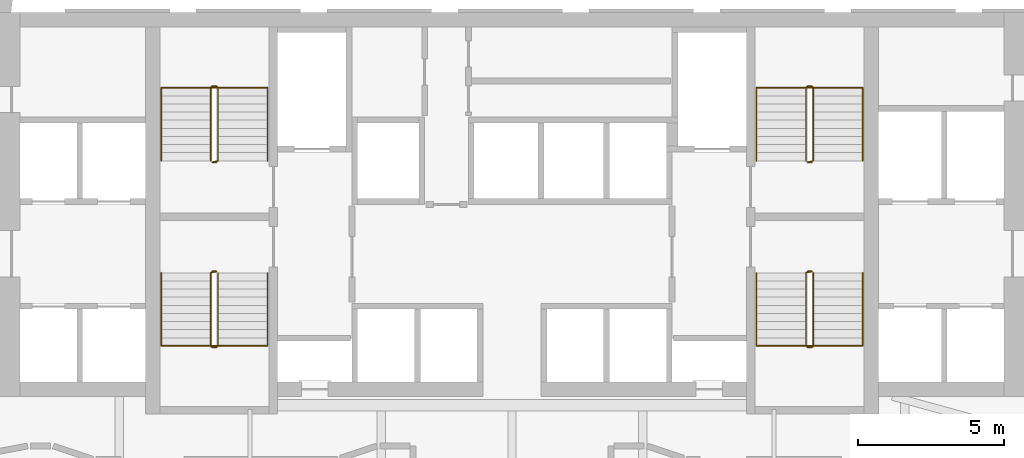
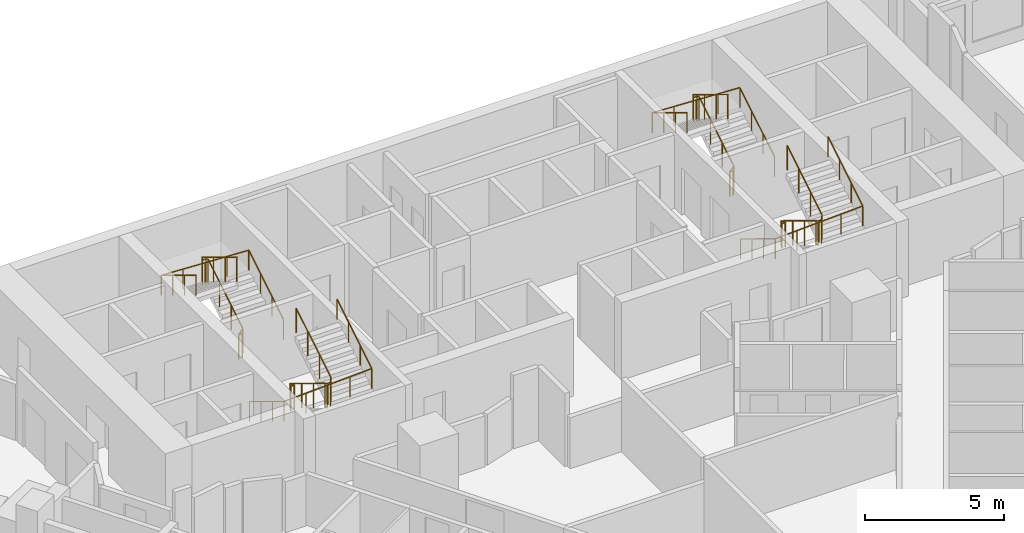
# One storey, part 12 of 12: 8 railings.
"""IFC4 building model written with IfcOpenShell, lengths in metres."""

import ifcopenshell
import ifcopenshell.guid

model = None  # the IFC model being written
_history = None  # IfcOwnerHistory: only IFC2X3 demands one
_inside = {}  # id of a spatial element -> (the spatial element, [elements in it])
_under = {}  # id of a project, library or spatial element -> (it, [spatial elements below it])
_declared = {}  # id of a project -> (the project, [libraries it declares])
_typed = {}  # id of a type object -> (the type object, [elements of that type])
_made_of = {}  # id of a material, layer set ... -> (it, [elements and type objects made of it])


def new_model(schema):
    """Start an empty IFC model of exactly this schema.

    Asked for "IFC4X3", IfcOpenShell would pick the latest addendum, in which some entities
    have other attributes; the version numbers below select the first issue.
    IFC2X3 requires an IfcOwnerHistory on every rooted entity: one is made here for all.
    """
    global model, _history
    if schema == "IFC4X3":
        model = ifcopenshell.file(schema_version=(4, 3, 0, 0))
    else:
        model = ifcopenshell.file(schema=schema)
    _inside.clear()
    _under.clear()
    _declared.clear()
    _typed.clear()
    _made_of.clear()
    _history = None
    if model.schema == "IFC2X3":
        org = make("IfcOrganization", Name="unknown")
        user = make(
            "IfcPersonAndOrganization",
            ThePerson=make("IfcPerson", FamilyName="unknown"),
            TheOrganization=org,
        )
        app = make(
            "IfcApplication",
            ApplicationDeveloper=org,
            Version="unknown",
            ApplicationFullName="unknown",
            ApplicationIdentifier="unknown",
        )
        _history = make(
            "IfcOwnerHistory",
            OwningUser=user,
            OwningApplication=app,
            ChangeAction="ADDED",
            CreationDate=0,
        )
    return model


def make(cls, **values):
    """One entity of the class cls with the attributes given. An attribute that is None is left unset."""
    return model.create_entity(
        cls, **{name: value for name, value in values.items() if value is not None}
    )


def rooted(cls, **values):
    """An entity with a GlobalId (a new one), such as an element, a storey or a relation."""
    return make(cls, GlobalId=ifcopenshell.guid.new(), OwnerHistory=_history, **values)


def si_unit(unit_type, name, prefix=None):
    """IfcSIUnit, for example si_unit("LENGTHUNIT", "METRE", prefix="MILLI")."""
    return make("IfcSIUnit", UnitType=unit_type, Prefix=prefix, Name=name)


def assignment(units):
    """IfcUnitAssignment: the units of a project."""
    return None if units is None else make("IfcUnitAssignment", Units=units)


def point(xyz):
    """IfcCartesianPoint."""
    return None if xyz is None else make("IfcCartesianPoint", Coordinates=xyz)


def direction(xyz):
    """IfcDirection."""
    return None if xyz is None else make("IfcDirection", DirectionRatios=xyz)


def frame(location, z_axis=None, x_axis=None):
    """IfcAxis2Placement3D, a coordinate frame: its origin and axes. An axis left out is left unset."""
    return make(
        "IfcAxis2Placement3D",
        Location=point(location),
        Axis=direction(z_axis),
        RefDirection=direction(x_axis),
    )


def frame_2d(location, x_axis=None):
    """IfcAxis2Placement2D, a coordinate frame in the plane: its origin and x axis."""
    return make(
        "IfcAxis2Placement2D", Location=point(location), RefDirection=direction(x_axis)
    )


def origin():
    """The frame at (0, 0, 0) with its axes left unset."""
    return frame((0.0, 0.0, 0.0))


def origin_2d():
    """The frame at (0, 0) in the plane with its x axis left unset."""
    return frame_2d((0.0, 0.0))


def place(relative_to, where):
    """IfcLocalPlacement: puts the frame where relative to a parent placement (None: the world)."""
    return make(
        "IfcLocalPlacement", PlacementRelTo=relative_to, RelativePlacement=where
    )


def context(
    kind, dimensions, precision=None, world=None, true_north=None, identifier=None
):
    """IfcGeometricRepresentationContext, for example the 3D "Model" context."""
    return make(
        "IfcGeometricRepresentationContext",
        ContextIdentifier=identifier,
        ContextType=kind,
        CoordinateSpaceDimension=dimensions,
        Precision=precision,
        WorldCoordinateSystem=world,
        TrueNorth=true_north,
    )


def subcontext(parent, identifier, kind, view, scale=None):
    """IfcGeometricRepresentationSubContext, for example "Body" below "Model"."""
    return make(
        "IfcGeometricRepresentationSubContext",
        ContextIdentifier=identifier,
        ContextType=kind,
        ParentContext=parent,
        TargetScale=scale,
        TargetView=view,
    )


def project(units=None, contexts=None):
    """IfcProject with its units and contexts."""
    return rooted(
        "IfcProject",
        Name="project",
        RepresentationContexts=contexts,
        UnitsInContext=assignment(units),
    )


def spatial(cls, under=None, at=None, **own):
    """A site, building, storey or space (cls), placed at a placement, below another one or the project."""
    s = rooted(cls, ObjectPlacement=at, **own)
    if under is not None:
        _under.setdefault(under.id(), (under, []))[1].append(s)
    return s


def profile(cls, at=None, kind="AREA", **sizes):
    """A parametric profile (cls). Its sizes go by their IFC names, for example OverallWidth=200.0."""
    return make(cls, ProfileType=kind, Position=at, **sizes)


def circle(**sizes):
    """IfcCircleProfileDef."""
    return profile("IfcCircleProfileDef", **sizes)


def extrude(swept, where, along, depth):
    """IfcExtrudedAreaSolid: the profile swept, set in the frame where, extruded along a direction by depth."""
    return make(
        "IfcExtrudedAreaSolid",
        SweptArea=swept,
        Position=where,
        ExtrudedDirection=direction(along),
        Depth=depth,
    )


def shape(context_of_items, identifier, shape_type, items):
    """IfcShapeRepresentation: the items that make up one representation, for example the "Body"."""
    return make(
        "IfcShapeRepresentation",
        ContextOfItems=context_of_items,
        RepresentationIdentifier=identifier,
        RepresentationType=shape_type,
        Items=items,
    )


def material(Name=None, Category=None):
    """IfcMaterial."""
    return make("IfcMaterial", Name=Name, Category=Category)


def made_of(thing, what):
    """Note that an element or type object is made of a material, layer set ...; save() writes the relation."""
    if what is not None:
        _made_of.setdefault(what.id(), (what, []))[1].append(thing)
    return thing


def type_object(cls, material=None, **own):
    """A type object (cls), such as IfcWallType, which elements share."""
    return made_of(rooted(cls, **own), material)


def element(
    cls,
    number,
    at=None,
    inside=None,
    cuts=None,
    type_object=None,
    material=None,
    context=None,
    identifier="Body",
    shape_type=None,
    held_by="IfcProductDefinitionShape",
    body=None,
    shapes=None,
    **own,
):
    """One element of the class cls, such as IfcWall. Its Tag is "e" and its number.

    at: its placement. inside: the storey or other place that contains it. cuts: it is an
    opening in that element (IfcRelVoidsElement). A single representation is given by context,
    identifier, shape_type and body (its items); several are given by shapes. held_by: the class
    of the entity that holds the representations. save() writes the other relations.
    """
    e = rooted(cls, Tag="e%d" % number, ObjectPlacement=at, **own)
    if body is not None:
        shapes = [shape(context, identifier, shape_type, body)]
    if shapes is not None:
        e.Representation = make(held_by, Representations=shapes)
    if inside is not None:
        _inside.setdefault(inside.id(), (inside, []))[1].append(e)
    if cuts is not None:
        rooted(
            "IfcRelVoidsElement", RelatingBuildingElement=cuts, RelatedOpeningElement=e
        )
    if type_object is not None:
        _typed.setdefault(type_object.id(), (type_object, []))[1].append(e)
    return made_of(e, material)


def aggregate(whole, parts):
    """IfcRelAggregates: a whole, such as a stair, and the parts it consists of."""
    return rooted("IfcRelAggregates", RelatingObject=whole, RelatedObjects=parts)


def save(model, path):
    """Write the relations noted so far, then the file.

    IfcRelAggregates (storeys below a building ...), IfcRelContainedInSpatialStructure (elements
    in a storey), IfcRelDefinesByType, IfcRelAssociatesMaterial and IfcRelDeclares: one each for
    every whole, place, type object, material and project.
    """
    for whole, parts in _under.values():
        aggregate(whole, parts)
    for where, things in _inside.values():
        rooted(
            "IfcRelContainedInSpatialStructure",
            RelatedElements=things,
            RelatingStructure=where,
        )
    for kind, things in _typed.values():
        rooted("IfcRelDefinesByType", RelatedObjects=things, RelatingType=kind)
    for what, things in _made_of.values():
        rooted("IfcRelAssociatesMaterial", RelatedObjects=things, RelatingMaterial=what)
    for by, libraries in _declared.values():
        rooted("IfcRelDeclares", RelatingContext=by, RelatedDefinitions=libraries)
    model.write(path)


model = new_model("IFC4")

# Units and contexts
model_context = context("Model", 3, precision=1e-05, world=origin(), true_north=direction((0.0, 1.0)))
body_context = subcontext(model_context, "Body", "Model", "MODEL_VIEW")
ifc_project = project(units=[si_unit("LENGTHUNIT", "METRE"), si_unit("AREAUNIT", "SQUARE_METRE"), si_unit("VOLUMEUNIT", "CUBIC_METRE"), si_unit("PLANEANGLEUNIT", "RADIAN"), si_unit("MASSUNIT", "GRAM", prefix="KILO")], contexts=[model_context])

# Site, building, storey
site_placement = place(None, origin())
site = spatial("IfcSite", under=ifc_project, at=site_placement, CompositionType="ELEMENT")
building_placement = place(site_placement, origin())
building = spatial("IfcBuilding", under=site, at=building_placement, Name="Calabash Gate Tower", CompositionType="ELEMENT")
storey_placement = place(building_placement, frame((0.0, 0.0, 83.39990234375)))
storey = spatial("IfcBuildingStorey", under=building, at=storey_placement, Name="L17", CompositionType="ELEMENT", Elevation=83.39990234375)

# Railings
ifc_material_1 = material(Name="Black powder-coated steel balusters", Category="steel")
railing_type_1 = type_object("IfcRailingType", Name="Stair guard RL1100", PredefinedType="GUARDRAIL", material=ifc_material_1)
railing_1_placement = place(storey_placement, frame((-10.14990234375, 13.902587890625, 0.0)))
element("IfcRailing", 1, at=railing_1_placement, inside=storey, type_object=railing_type_1, Name="L17 ST1 stair guard 1", PredefinedType="GUARDRAIL", context=body_context, shape_type="SweptSolid", body=[
    extrude(circle(Radius=0.02392578125, at=origin_2d()), frame((0.0, 0.0, 1.076171875), z_axis=(-1.0, 0.0, 0.0), x_axis=(0.0, -1.0, 0.0)), (0.0, 0.0, 1.0), 0.150146484375),
    extrude(circle(Radius=0.02392578125, at=origin_2d()), frame((-0.150146484375, 0.0, 1.076171875), z_axis=(0.748079357382, 0.187248190798, 0.636643848712), x_axis=(-0.242814311512, 0.970072785993, 0.0)), (0.0, 0.0, 1.0), 0.267333984375),
    extrude(circle(Radius=0.02392578125, at=origin_2d()), frame((0.0498046875, 0.050048828125, 1.24609375), z_axis=(0.0, 0.853956361026, 0.520344629514), x_axis=(-1.0, 0.0, 0.0)), (0.0, 0.0, 1.0), 2.9404296875),
    extrude(circle(Radius=0.02392578125, at=origin_2d()), frame((0.0498046875, 2.56103515625, 2.7763671875), z_axis=(-0.705375805398, 0.708833529934, 0.0), x_axis=(-0.708833529934, -0.705375805398, 0.0)), (0.0, 0.0, 1.0), 0.070556640625),
    extrude(circle(Radius=0.02392578125, at=origin_2d()), frame((0.0, 2.611083984375, 2.7763671875), z_axis=(-1.0, 0.0, 0.0), x_axis=(0.0, -1.0, 0.0)), (0.0, 0.0, 1.0), 0.150146484375),
    extrude(circle(Radius=0.02392578125, at=origin_2d()), frame((-0.150146484375, 2.611083984375, 2.7763671875), z_axis=(-0.271895245746, -0.271895245746, 0.923117517265), x_axis=(0.707106781187, -0.707106781187, 0.0)), (0.0, 0.0, 1.0), 0.18408203125),
    extrude(circle(Radius=0.02392578125, at=origin_2d()), frame((-0.2001953125, 2.56103515625, 2.9462890625), z_axis=(0.0, -0.853956361026, 0.520344629514), x_axis=(1.0, 0.0, 0.0)), (0.0, 0.0, 1.0), 2.9404296875),
    extrude(circle(Radius=0.02099609375, at=origin_2d()), origin(), (0.0, 0.0, 1.0), 1.052001953125),
    extrude(circle(Radius=0.02099609375, at=origin_2d()), frame((-0.150146484375, 0.0, 0.0)), (0.0, 0.0, 1.0), 1.052001953125),
    extrude(circle(Radius=0.02099609375, at=origin_2d()), frame((0.0498046875, 0.050048828125, 0.170166015625)), (0.0, 0.0, 1.0), 1.052001953125),
    extrude(circle(Radius=0.02099609375, at=origin_2d()), frame((0.0498046875, 0.886962890625, 0.68017578125)), (0.0, 0.0, 1.0), 1.052001953125),
    extrude(circle(Radius=0.02099609375, at=origin_2d()), frame((0.0498046875, 1.72412109375, 1.190185546875)), (0.0, 0.0, 1.0), 1.052001953125),
    extrude(circle(Radius=0.02099609375, at=origin_2d()), frame((0.0498046875, 2.56103515625, 1.7001953125)), (0.0, 0.0, 1.0), 1.052001953125),
    extrude(circle(Radius=0.02099609375, at=origin_2d()), frame((0.0, 2.611083984375, 1.7001953125)), (0.0, 0.0, 1.0), 1.052001953125),
    extrude(circle(Radius=0.02099609375, at=origin_2d()), frame((-0.150146484375, 2.611083984375, 1.7001953125)), (0.0, 0.0, 1.0), 1.052001953125),
    extrude(circle(Radius=0.02099609375, at=origin_2d()), frame((-0.2001953125, 2.56103515625, 1.8701171875)), (0.0, 0.0, 1.0), 1.052001953125),
    extrude(circle(Radius=0.02099609375, at=origin_2d()), frame((-0.2001953125, 1.72412109375, 2.380126953125)), (0.0, 0.0, 1.0), 1.052001953125),
    extrude(circle(Radius=0.02099609375, at=origin_2d()), frame((-0.2001953125, 0.886962890625, 2.89013671875)), (0.0, 0.0, 1.0), 1.052001953125),
    extrude(circle(Radius=0.02099609375, at=origin_2d()), frame((-0.2001953125, 0.050048828125, 3.400146484375)), (0.0, 0.0, 1.0), 1.052001953125),
])
railing_2_placement = place(storey_placement, frame((-10.300048828125, 10.152587890625, 0.0)))
element("IfcRailing", 2, at=railing_2_placement, inside=storey, type_object=railing_type_1, Name="L17 ST2 stair guard 1", PredefinedType="GUARDRAIL", context=body_context, shape_type="SweptSolid", body=[
    extrude(circle(Radius=0.02392578125, at=origin_2d()), frame((0.0, 0.0, 1.076171875), z_axis=(1.0, 0.0, 0.0), x_axis=(0.0, 1.0, 0.0)), (0.0, 0.0, 1.0), 0.150146484375),
    extrude(circle(Radius=0.02392578125, at=origin_2d()), frame((0.150146484375, 0.0, 1.076171875), z_axis=(-0.748481188565, -0.187120297141, 0.63620901028), x_axis=(0.242535625036, -0.970142500145, 0.0)), (0.0, 0.0, 1.0), 0.267578125),
    extrude(circle(Radius=0.02392578125, at=origin_2d()), frame((-0.050048828125, -0.050048828125, 1.24609375), z_axis=(0.0, -0.853956361026, 0.520344629514), x_axis=(1.0, 0.0, 0.0)), (0.0, 0.0, 1.0), 2.9404296875),
    extrude(circle(Radius=0.02392578125, at=origin_2d()), frame((-0.050048828125, -2.56103515625, 2.7763671875), z_axis=(0.707106781187, -0.707106781187, 0.0), x_axis=(0.707106781187, 0.707106781187, 0.0)), (0.0, 0.0, 1.0), 0.07080078125),
    extrude(circle(Radius=0.02392578125, at=origin_2d()), frame((0.0, -2.611083984375, 2.7763671875), z_axis=(1.0, 0.0, 0.0), x_axis=(0.0, 1.0, 0.0)), (0.0, 0.0, 1.0), 0.150146484375),
    extrude(circle(Radius=0.02392578125, at=origin_2d()), frame((0.150146484375, -2.611083984375, 2.7763671875), z_axis=(0.270666314514, 0.271993110173, 0.92344977893), x_axis=(-0.708833529934, 0.705375805398, 0.0)), (0.0, 0.0, 1.0), 0.18408203125),
    extrude(circle(Radius=0.02392578125, at=origin_2d()), frame((0.199951171875, -2.56103515625, 2.9462890625), z_axis=(0.0, 0.853956361026, 0.520344629514), x_axis=(-1.0, 0.0, 0.0)), (0.0, 0.0, 1.0), 2.9404296875),
    extrude(circle(Radius=0.02099609375, at=origin_2d()), origin(), (0.0, 0.0, 1.0), 1.052001953125),
    extrude(circle(Radius=0.02099609375, at=origin_2d()), frame((0.150146484375, 0.0, 0.0)), (0.0, 0.0, 1.0), 1.052001953125),
    extrude(circle(Radius=0.02099609375, at=origin_2d()), frame((-0.050048828125, -0.050048828125, 0.170166015625)), (0.0, 0.0, 1.0), 1.052001953125),
    extrude(circle(Radius=0.02099609375, at=origin_2d()), frame((-0.050048828125, -0.886962890625, 0.68017578125)), (0.0, 0.0, 1.0), 1.052001953125),
    extrude(circle(Radius=0.02099609375, at=origin_2d()), frame((-0.050048828125, -1.72412109375, 1.190185546875)), (0.0, 0.0, 1.0), 1.052001953125),
    extrude(circle(Radius=0.02099609375, at=origin_2d()), frame((-0.050048828125, -2.56103515625, 1.7001953125)), (0.0, 0.0, 1.0), 1.052001953125),
    extrude(circle(Radius=0.02099609375, at=origin_2d()), frame((0.0, -2.611083984375, 1.7001953125)), (0.0, 0.0, 1.0), 1.052001953125),
    extrude(circle(Radius=0.02099609375, at=origin_2d()), frame((0.150146484375, -2.611083984375, 1.7001953125)), (0.0, 0.0, 1.0), 1.052001953125),
    extrude(circle(Radius=0.02099609375, at=origin_2d()), frame((0.199951171875, -2.56103515625, 1.8701171875)), (0.0, 0.0, 1.0), 1.052001953125),
    extrude(circle(Radius=0.02099609375, at=origin_2d()), frame((0.199951171875, -1.72412109375, 2.380126953125)), (0.0, 0.0, 1.0), 1.052001953125),
    extrude(circle(Radius=0.02099609375, at=origin_2d()), frame((0.199951171875, -0.886962890625, 2.89013671875)), (0.0, 0.0, 1.0), 1.052001953125),
    extrude(circle(Radius=0.02099609375, at=origin_2d()), frame((0.199951171875, -0.050048828125, 3.400146484375)), (0.0, 0.0, 1.0), 1.052001953125),
])
railing_3_placement = place(storey_placement, frame((10.300048828125, 13.902587890625, 0.0)))
element("IfcRailing", 3, at=railing_3_placement, inside=storey, type_object=railing_type_1, Name="L17 ST3 stair guard 1", PredefinedType="GUARDRAIL", context=body_context, shape_type="SweptSolid", body=[
    extrude(circle(Radius=0.02392578125, at=origin_2d()), frame((0.0, 0.0, 1.076171875), z_axis=(-1.0, 0.0, 0.0), x_axis=(0.0, -1.0, 0.0)), (0.0, 0.0, 1.0), 0.150146484375),
    extrude(circle(Radius=0.02392578125, at=origin_2d()), frame((-0.150146484375, 0.0, 1.076171875), z_axis=(0.748481188565, 0.187120297141, 0.63620901028), x_axis=(-0.242535625036, 0.970142500145, 0.0)), (0.0, 0.0, 1.0), 0.267578125),
    extrude(circle(Radius=0.02392578125, at=origin_2d()), frame((0.050048828125, 0.050048828125, 1.24609375), z_axis=(0.0, 0.853956361026, 0.520344629514), x_axis=(-1.0, 0.0, 0.0)), (0.0, 0.0, 1.0), 2.9404296875),
    extrude(circle(Radius=0.02392578125, at=origin_2d()), frame((0.050048828125, 2.56103515625, 2.7763671875), z_axis=(-0.707106781187, 0.707106781187, 0.0), x_axis=(-0.707106781187, -0.707106781187, 0.0)), (0.0, 0.0, 1.0), 0.07080078125),
    extrude(circle(Radius=0.02392578125, at=origin_2d()), frame((0.0, 2.611083984375, 2.7763671875), z_axis=(-1.0, 0.0, 0.0), x_axis=(0.0, -1.0, 0.0)), (0.0, 0.0, 1.0), 0.150146484375),
    extrude(circle(Radius=0.02392578125, at=origin_2d()), frame((-0.150146484375, 2.611083984375, 2.7763671875), z_axis=(-0.270666314514, -0.271993110173, 0.92344977893), x_axis=(0.708833529934, -0.705375805398, 0.0)), (0.0, 0.0, 1.0), 0.18408203125),
    extrude(circle(Radius=0.02392578125, at=origin_2d()), frame((-0.199951171875, 2.56103515625, 2.9462890625), z_axis=(0.0, -0.853956361026, 0.520344629514), x_axis=(1.0, 0.0, 0.0)), (0.0, 0.0, 1.0), 2.9404296875),
    extrude(circle(Radius=0.02099609375, at=origin_2d()), origin(), (0.0, 0.0, 1.0), 1.052001953125),
    extrude(circle(Radius=0.02099609375, at=origin_2d()), frame((-0.150146484375, 0.0, 0.0)), (0.0, 0.0, 1.0), 1.052001953125),
    extrude(circle(Radius=0.02099609375, at=origin_2d()), frame((0.050048828125, 0.050048828125, 0.170166015625)), (0.0, 0.0, 1.0), 1.052001953125),
    extrude(circle(Radius=0.02099609375, at=origin_2d()), frame((0.050048828125, 0.886962890625, 0.68017578125)), (0.0, 0.0, 1.0), 1.052001953125),
    extrude(circle(Radius=0.02099609375, at=origin_2d()), frame((0.050048828125, 1.72412109375, 1.190185546875)), (0.0, 0.0, 1.0), 1.052001953125),
    extrude(circle(Radius=0.02099609375, at=origin_2d()), frame((0.050048828125, 2.56103515625, 1.7001953125)), (0.0, 0.0, 1.0), 1.052001953125),
    extrude(circle(Radius=0.02099609375, at=origin_2d()), frame((0.0, 2.611083984375, 1.7001953125)), (0.0, 0.0, 1.0), 1.052001953125),
    extrude(circle(Radius=0.02099609375, at=origin_2d()), frame((-0.150146484375, 2.611083984375, 1.7001953125)), (0.0, 0.0, 1.0), 1.052001953125),
    extrude(circle(Radius=0.02099609375, at=origin_2d()), frame((-0.199951171875, 2.56103515625, 1.8701171875)), (0.0, 0.0, 1.0), 1.052001953125),
    extrude(circle(Radius=0.02099609375, at=origin_2d()), frame((-0.199951171875, 1.72412109375, 2.380126953125)), (0.0, 0.0, 1.0), 1.052001953125),
    extrude(circle(Radius=0.02099609375, at=origin_2d()), frame((-0.199951171875, 0.886962890625, 2.89013671875)), (0.0, 0.0, 1.0), 1.052001953125),
    extrude(circle(Radius=0.02099609375, at=origin_2d()), frame((-0.199951171875, 0.050048828125, 3.400146484375)), (0.0, 0.0, 1.0), 1.052001953125),
])
railing_4_placement = place(storey_placement, frame((10.14990234375, 10.152587890625, 0.0)))
element("IfcRailing", 4, at=railing_4_placement, inside=storey, type_object=railing_type_1, Name="L17 ST4 stair guard 1", PredefinedType="GUARDRAIL", context=body_context, shape_type="SweptSolid", body=[
    extrude(circle(Radius=0.02392578125, at=origin_2d()), frame((0.0, 0.0, 1.076171875), z_axis=(1.0, 0.0, 0.0), x_axis=(0.0, 1.0, 0.0)), (0.0, 0.0, 1.0), 0.150146484375),
    extrude(circle(Radius=0.02392578125, at=origin_2d()), frame((0.150146484375, 0.0, 1.076171875), z_axis=(-0.748079357382, -0.187248190798, 0.636643848712), x_axis=(0.242814311512, -0.970072785993, 0.0)), (0.0, 0.0, 1.0), 0.267333984375),
    extrude(circle(Radius=0.02392578125, at=origin_2d()), frame((-0.0498046875, -0.050048828125, 1.24609375), z_axis=(0.0, -0.853956361026, 0.520344629514), x_axis=(1.0, 0.0, 0.0)), (0.0, 0.0, 1.0), 2.9404296875),
    extrude(circle(Radius=0.02392578125, at=origin_2d()), frame((-0.0498046875, -2.56103515625, 2.7763671875), z_axis=(0.705375805398, -0.708833529934, 0.0), x_axis=(0.708833529934, 0.705375805398, 0.0)), (0.0, 0.0, 1.0), 0.070556640625),
    extrude(circle(Radius=0.02392578125, at=origin_2d()), frame((0.0, -2.611083984375, 2.7763671875), z_axis=(1.0, 0.0, 0.0), x_axis=(0.0, 1.0, 0.0)), (0.0, 0.0, 1.0), 0.150146484375),
    extrude(circle(Radius=0.02392578125, at=origin_2d()), frame((0.150146484375, -2.611083984375, 2.7763671875), z_axis=(0.271895245746, 0.271895245746, 0.923117517265), x_axis=(-0.707106781187, 0.707106781187, 0.0)), (0.0, 0.0, 1.0), 0.18408203125),
    extrude(circle(Radius=0.02392578125, at=origin_2d()), frame((0.2001953125, -2.56103515625, 2.9462890625), z_axis=(0.0, 0.853956361026, 0.520344629514), x_axis=(-1.0, 0.0, 0.0)), (0.0, 0.0, 1.0), 2.9404296875),
    extrude(circle(Radius=0.02099609375, at=origin_2d()), origin(), (0.0, 0.0, 1.0), 1.052001953125),
    extrude(circle(Radius=0.02099609375, at=origin_2d()), frame((0.150146484375, 0.0, 0.0)), (0.0, 0.0, 1.0), 1.052001953125),
    extrude(circle(Radius=0.02099609375, at=origin_2d()), frame((-0.0498046875, -0.050048828125, 0.170166015625)), (0.0, 0.0, 1.0), 1.052001953125),
    extrude(circle(Radius=0.02099609375, at=origin_2d()), frame((-0.0498046875, -0.886962890625, 0.68017578125)), (0.0, 0.0, 1.0), 1.052001953125),
    extrude(circle(Radius=0.02099609375, at=origin_2d()), frame((-0.0498046875, -1.72412109375, 1.190185546875)), (0.0, 0.0, 1.0), 1.052001953125),
    extrude(circle(Radius=0.02099609375, at=origin_2d()), frame((-0.0498046875, -2.56103515625, 1.7001953125)), (0.0, 0.0, 1.0), 1.052001953125),
    extrude(circle(Radius=0.02099609375, at=origin_2d()), frame((0.0, -2.611083984375, 1.7001953125)), (0.0, 0.0, 1.0), 1.052001953125),
    extrude(circle(Radius=0.02099609375, at=origin_2d()), frame((0.150146484375, -2.611083984375, 1.7001953125)), (0.0, 0.0, 1.0), 1.052001953125),
    extrude(circle(Radius=0.02099609375, at=origin_2d()), frame((0.2001953125, -2.56103515625, 1.8701171875)), (0.0, 0.0, 1.0), 1.052001953125),
    extrude(circle(Radius=0.02099609375, at=origin_2d()), frame((0.2001953125, -1.72412109375, 2.380126953125)), (0.0, 0.0, 1.0), 1.052001953125),
    extrude(circle(Radius=0.02099609375, at=origin_2d()), frame((0.2001953125, -0.886962890625, 2.89013671875)), (0.0, 0.0, 1.0), 1.052001953125),
    extrude(circle(Radius=0.02099609375, at=origin_2d()), frame((0.2001953125, -0.050048828125, 3.400146484375)), (0.0, 0.0, 1.0), 1.052001953125),
])
ifc_material_2 = material(Name="Black powder-coated steel tube 48 mm", Category="steel")
railing_type_2 = type_object("IfcRailingType", Name="Stair handrail RL900", PredefinedType="HANDRAIL", material=ifc_material_2)
railing_5_placement = place(storey_placement, frame((-8.39990234375, 13.95263671875, 0.170166015625)))
element("IfcRailing", 5, at=railing_5_placement, inside=storey, type_object=railing_type_2, Name="L17 ST1 stair handrail 1", PredefinedType="HANDRAIL", context=body_context, shape_type="SweptSolid", body=[
    extrude(circle(Radius=0.02392578125, at=origin_2d()), frame((0.0, 0.0, 0.8759765625), z_axis=(0.0, 0.853956361026, 0.520344629514), x_axis=(-1.0, 0.0, 0.0)), (0.0, 0.0, 1.0), 2.9404296875),
    extrude(circle(Radius=0.02392578125, at=origin_2d()), frame((0.0, 2.510986328125, 2.40576171875), z_axis=(-0.998918210324, 0.0, 0.046501710547), x_axis=(0.0, -1.0, 0.0)), (0.0, 0.0, 1.0), 3.654052734375),
    extrude(circle(Radius=0.02392578125, at=origin_2d()), frame((-3.650146484375, 2.510986328125, 2.57568359375), z_axis=(0.0, -0.853956361026, 0.520344629514), x_axis=(1.0, 0.0, 0.0)), (0.0, 0.0, 1.0), 2.9404296875),
    extrude(circle(Radius=0.02099609375, at=origin_2d()), origin(), (0.0, 0.0, 1.0), 0.851806640625),
    extrude(circle(Radius=0.02099609375, at=origin_2d()), frame((0.0, 0.8369140625, 0.510009765625)), (0.0, 0.0, 1.0), 0.851806640625),
    extrude(circle(Radius=0.02099609375, at=origin_2d()), frame((0.0, 1.674072265625, 1.02001953125)), (0.0, 0.0, 1.0), 0.851806640625),
    extrude(circle(Radius=0.02099609375, at=origin_2d()), frame((0.0, 2.510986328125, 1.530029296875)), (0.0, 0.0, 1.0), 0.851806640625),
    extrude(circle(Radius=0.02099609375, at=origin_2d()), frame((-0.91259765625, 2.510986328125, 1.572509765625)), (0.0, 0.0, 1.0), 0.851806640625),
    extrude(circle(Radius=0.02099609375, at=origin_2d()), frame((-1.8251953125, 2.510986328125, 1.614990234375)), (0.0, 0.0, 1.0), 0.851806640625),
    extrude(circle(Radius=0.02099609375, at=origin_2d()), frame((-2.737548828125, 2.510986328125, 1.657470703125)), (0.0, 0.0, 1.0), 0.851806640625),
    extrude(circle(Radius=0.02099609375, at=origin_2d()), frame((-3.650146484375, 2.510986328125, 1.699951171875)), (0.0, 0.0, 1.0), 0.851806640625),
    extrude(circle(Radius=0.02099609375, at=origin_2d()), frame((-3.650146484375, 1.674072265625, 2.2099609375)), (0.0, 0.0, 1.0), 0.851806640625),
    extrude(circle(Radius=0.02099609375, at=origin_2d()), frame((-3.650146484375, 0.8369140625, 2.719970703125)), (0.0, 0.0, 1.0), 0.851806640625),
    extrude(circle(Radius=0.02099609375, at=origin_2d()), frame((-3.650146484375, 0.0, 3.22998046875)), (0.0, 0.0, 1.0), 0.851806640625),
])
railing_6_placement = place(storey_placement, frame((-12.050048828125, 10.1025390625, 0.170166015625)))
element("IfcRailing", 6, at=railing_6_placement, inside=storey, type_object=railing_type_2, Name="L17 ST2 stair handrail 1", PredefinedType="HANDRAIL", context=body_context, shape_type="SweptSolid", body=[
    extrude(circle(Radius=0.02392578125, at=origin_2d()), frame((0.0, 0.0, 0.8759765625), z_axis=(0.0, -0.853956361026, 0.520344629514), x_axis=(1.0, 0.0, 0.0)), (0.0, 0.0, 1.0), 2.9404296875),
    extrude(circle(Radius=0.02392578125, at=origin_2d()), frame((0.0, -2.510986328125, 2.40576171875), z_axis=(0.998918210324, 0.0, 0.046501710547), x_axis=(0.0, 1.0, 0.0)), (0.0, 0.0, 1.0), 3.654052734375),
    extrude(circle(Radius=0.02392578125, at=origin_2d()), frame((3.650146484375, -2.510986328125, 2.57568359375), z_axis=(0.0, 0.853956361026, 0.520344629514), x_axis=(-1.0, 0.0, 0.0)), (0.0, 0.0, 1.0), 2.9404296875),
    extrude(circle(Radius=0.02099609375, at=origin_2d()), origin(), (0.0, 0.0, 1.0), 0.851806640625),
    extrude(circle(Radius=0.02099609375, at=origin_2d()), frame((0.0, -0.8369140625, 0.510009765625)), (0.0, 0.0, 1.0), 0.851806640625),
    extrude(circle(Radius=0.02099609375, at=origin_2d()), frame((0.0, -1.674072265625, 1.02001953125)), (0.0, 0.0, 1.0), 0.851806640625),
    extrude(circle(Radius=0.02099609375, at=origin_2d()), frame((0.0, -2.510986328125, 1.530029296875)), (0.0, 0.0, 1.0), 0.851806640625),
    extrude(circle(Radius=0.02099609375, at=origin_2d()), frame((0.91259765625, -2.510986328125, 1.572509765625)), (0.0, 0.0, 1.0), 0.851806640625),
    extrude(circle(Radius=0.02099609375, at=origin_2d()), frame((1.8251953125, -2.510986328125, 1.614990234375)), (0.0, 0.0, 1.0), 0.851806640625),
    extrude(circle(Radius=0.02099609375, at=origin_2d()), frame((2.737548828125, -2.510986328125, 1.657470703125)), (0.0, 0.0, 1.0), 0.851806640625),
    extrude(circle(Radius=0.02099609375, at=origin_2d()), frame((3.650146484375, -2.510986328125, 1.699951171875)), (0.0, 0.0, 1.0), 0.851806640625),
    extrude(circle(Radius=0.02099609375, at=origin_2d()), frame((3.650146484375, -1.674072265625, 2.2099609375)), (0.0, 0.0, 1.0), 0.851806640625),
    extrude(circle(Radius=0.02099609375, at=origin_2d()), frame((3.650146484375, -0.8369140625, 2.719970703125)), (0.0, 0.0, 1.0), 0.851806640625),
    extrude(circle(Radius=0.02099609375, at=origin_2d()), frame((3.650146484375, 0.0, 3.22998046875)), (0.0, 0.0, 1.0), 0.851806640625),
])
railing_7_placement = place(storey_placement, frame((12.050048828125, 13.95263671875, 0.170166015625)))
element("IfcRailing", 7, at=railing_7_placement, inside=storey, type_object=railing_type_2, Name="L17 ST3 stair handrail 1", PredefinedType="HANDRAIL", context=body_context, shape_type="SweptSolid", body=[
    extrude(circle(Radius=0.02392578125, at=origin_2d()), frame((0.0, 0.0, 0.8759765625), z_axis=(0.0, 0.853956361026, 0.520344629514), x_axis=(-1.0, 0.0, 0.0)), (0.0, 0.0, 1.0), 2.9404296875),
    extrude(circle(Radius=0.02392578125, at=origin_2d()), frame((0.0, 2.510986328125, 2.40576171875), z_axis=(-0.998918210324, 0.0, 0.046501710547), x_axis=(0.0, -1.0, 0.0)), (0.0, 0.0, 1.0), 3.654052734375),
    extrude(circle(Radius=0.02392578125, at=origin_2d()), frame((-3.650146484375, 2.510986328125, 2.57568359375), z_axis=(0.0, -0.853956361026, 0.520344629514), x_axis=(1.0, 0.0, 0.0)), (0.0, 0.0, 1.0), 2.9404296875),
    extrude(circle(Radius=0.02099609375, at=origin_2d()), origin(), (0.0, 0.0, 1.0), 0.851806640625),
    extrude(circle(Radius=0.02099609375, at=origin_2d()), frame((0.0, 0.8369140625, 0.510009765625)), (0.0, 0.0, 1.0), 0.851806640625),
    extrude(circle(Radius=0.02099609375, at=origin_2d()), frame((0.0, 1.674072265625, 1.02001953125)), (0.0, 0.0, 1.0), 0.851806640625),
    extrude(circle(Radius=0.02099609375, at=origin_2d()), frame((0.0, 2.510986328125, 1.530029296875)), (0.0, 0.0, 1.0), 0.851806640625),
    extrude(circle(Radius=0.02099609375, at=origin_2d()), frame((-0.91259765625, 2.510986328125, 1.572509765625)), (0.0, 0.0, 1.0), 0.851806640625),
    extrude(circle(Radius=0.02099609375, at=origin_2d()), frame((-1.8251953125, 2.510986328125, 1.614990234375)), (0.0, 0.0, 1.0), 0.851806640625),
    extrude(circle(Radius=0.02099609375, at=origin_2d()), frame((-2.737548828125, 2.510986328125, 1.657470703125)), (0.0, 0.0, 1.0), 0.851806640625),
    extrude(circle(Radius=0.02099609375, at=origin_2d()), frame((-3.650146484375, 2.510986328125, 1.699951171875)), (0.0, 0.0, 1.0), 0.851806640625),
    extrude(circle(Radius=0.02099609375, at=origin_2d()), frame((-3.650146484375, 1.674072265625, 2.2099609375)), (0.0, 0.0, 1.0), 0.851806640625),
    extrude(circle(Radius=0.02099609375, at=origin_2d()), frame((-3.650146484375, 0.8369140625, 2.719970703125)), (0.0, 0.0, 1.0), 0.851806640625),
    extrude(circle(Radius=0.02099609375, at=origin_2d()), frame((-3.650146484375, 0.0, 3.22998046875)), (0.0, 0.0, 1.0), 0.851806640625),
])
railing_8_placement = place(storey_placement, frame((8.39990234375, 10.1025390625, 0.170166015625)))
element("IfcRailing", 8, at=railing_8_placement, inside=storey, type_object=railing_type_2, Name="L17 ST4 stair handrail 1", PredefinedType="HANDRAIL", context=body_context, shape_type="SweptSolid", body=[
    extrude(circle(Radius=0.02392578125, at=origin_2d()), frame((0.0, 0.0, 0.8759765625), z_axis=(0.0, -0.853956361026, 0.520344629514), x_axis=(1.0, 0.0, 0.0)), (0.0, 0.0, 1.0), 2.9404296875),
    extrude(circle(Radius=0.02392578125, at=origin_2d()), frame((0.0, -2.510986328125, 2.40576171875), z_axis=(0.998918210324, 0.0, 0.046501710547), x_axis=(0.0, 1.0, 0.0)), (0.0, 0.0, 1.0), 3.654052734375),
    extrude(circle(Radius=0.02392578125, at=origin_2d()), frame((3.650146484375, -2.510986328125, 2.57568359375), z_axis=(0.0, 0.853956361026, 0.520344629514), x_axis=(-1.0, 0.0, 0.0)), (0.0, 0.0, 1.0), 2.9404296875),
    extrude(circle(Radius=0.02099609375, at=origin_2d()), origin(), (0.0, 0.0, 1.0), 0.851806640625),
    extrude(circle(Radius=0.02099609375, at=origin_2d()), frame((0.0, -0.8369140625, 0.510009765625)), (0.0, 0.0, 1.0), 0.851806640625),
    extrude(circle(Radius=0.02099609375, at=origin_2d()), frame((0.0, -1.674072265625, 1.02001953125)), (0.0, 0.0, 1.0), 0.851806640625),
    extrude(circle(Radius=0.02099609375, at=origin_2d()), frame((0.0, -2.510986328125, 1.530029296875)), (0.0, 0.0, 1.0), 0.851806640625),
    extrude(circle(Radius=0.02099609375, at=origin_2d()), frame((0.91259765625, -2.510986328125, 1.572509765625)), (0.0, 0.0, 1.0), 0.851806640625),
    extrude(circle(Radius=0.02099609375, at=origin_2d()), frame((1.8251953125, -2.510986328125, 1.614990234375)), (0.0, 0.0, 1.0), 0.851806640625),
    extrude(circle(Radius=0.02099609375, at=origin_2d()), frame((2.737548828125, -2.510986328125, 1.657470703125)), (0.0, 0.0, 1.0), 0.851806640625),
    extrude(circle(Radius=0.02099609375, at=origin_2d()), frame((3.650146484375, -2.510986328125, 1.699951171875)), (0.0, 0.0, 1.0), 0.851806640625),
    extrude(circle(Radius=0.02099609375, at=origin_2d()), frame((3.650146484375, -1.674072265625, 2.2099609375)), (0.0, 0.0, 1.0), 0.851806640625),
    extrude(circle(Radius=0.02099609375, at=origin_2d()), frame((3.650146484375, -0.8369140625, 2.719970703125)), (0.0, 0.0, 1.0), 0.851806640625),
    extrude(circle(Radius=0.02099609375, at=origin_2d()), frame((3.650146484375, 0.0, 3.22998046875)), (0.0, 0.0, 1.0), 0.851806640625),
])

save(model, "model.ifc")
